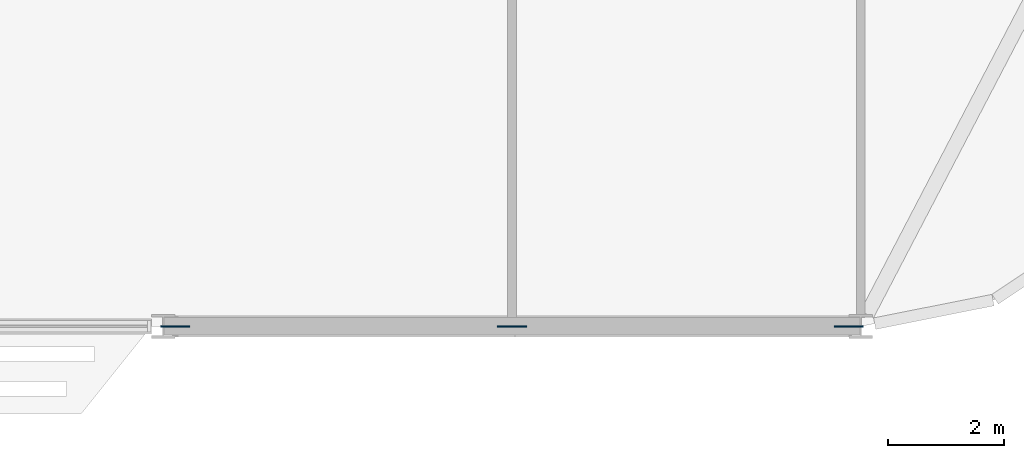
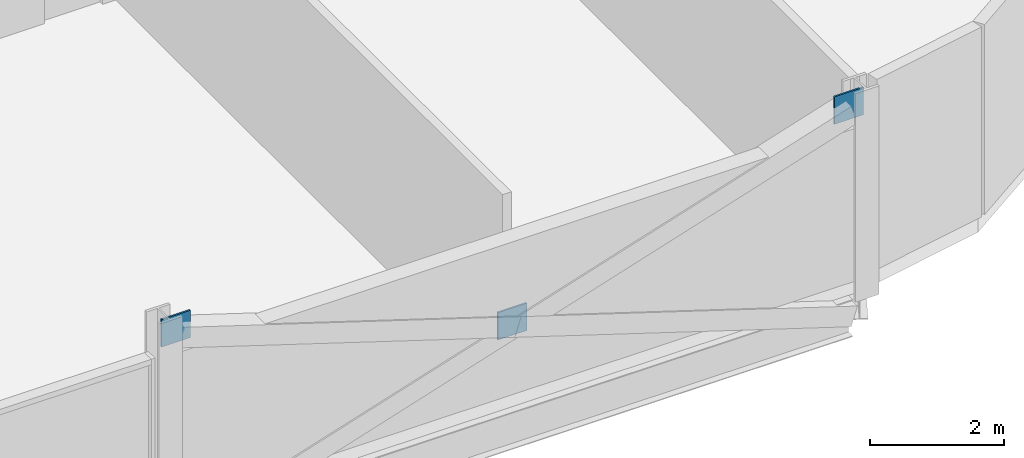
# One storey, part 20 of 27: 3 discrete accessories.
"""IFC4 building model written with IfcOpenShell, lengths in metres."""

from ifc_helpers import new_model, si_unit, direction, frame, origin, origin_2d, place, context, subcontext, project, spatial, rectangle, extrude, material, layer, layer_set, type_object, element, save


model = new_model("IFC4")

# Units and contexts
model_context = context("Model", 3, precision=1e-05, world=origin(), true_north=direction((0.0, 1.0)))
body_context = subcontext(model_context, "Body", "Model", "MODEL_VIEW")
ifc_project = project(units=[si_unit("LENGTHUNIT", "METRE"), si_unit("AREAUNIT", "SQUARE_METRE"), si_unit("VOLUMEUNIT", "CUBIC_METRE"), si_unit("PLANEANGLEUNIT", "RADIAN"), si_unit("MASSUNIT", "GRAM", prefix="KILO")], contexts=[model_context])

# Site, building, storey
site_placement = place(None, origin())
site = spatial("IfcSite", under=ifc_project, at=site_placement, CompositionType="ELEMENT")
building_placement = place(site_placement, origin())
building = spatial("IfcBuilding", under=site, at=building_placement, Name="Mahtab Terrace Research Tower", CompositionType="ELEMENT")
storey_placement = place(building_placement, frame((0.0, 0.0, 178.199951171875)))
storey = spatial("IfcBuildingStorey", under=building, at=storey_placement, Name="L42", CompositionType="ELEMENT", Elevation=178.199951171875)

# Discrete accessories
ifc_material = material(Name="Steel ASTM A992 Gr 50", Category="steel")
ifc_layer = layer(ifc_material, 0.030029296875)
ifc_layer_set = layer_set([ifc_layer], Name="Gusset plate 500x500x30")
discrete_accessory_type = type_object("IfcDiscreteAccessoryType", Name="Gusset plate 500x500x30", PredefinedType="USERDEFINED", material=ifc_layer_set)
for number, where, z_axis, x_axis, name in (
    (1, (30.203125, -23.0, 2.870849609375), (0.0, 0.0, 1.0), (1.0, 0.0, 0.0), "Gusset plate"),
    (2, (36.0, -23.0, 0.970947265625), (0.0, 0.0, 1.0), (1.0, 0.0, 0.0), "Gusset plate"),
    (3, (41.796875, -23.0, 2.870849609375), (0.0, 0.0, 1.0), (1.0, 0.0, 0.0), "Gusset plate"),
):
    element("IfcDiscreteAccessory", number, at=place(storey_placement, frame(where, z_axis=z_axis, x_axis=x_axis)), inside=storey, type_object=discrete_accessory_type, Name=name, ObjectType="GUSSET PLATE", PredefinedType="USERDEFINED", context=body_context, shape_type="SweptSolid", body=[
        extrude(rectangle(XDim=0.5, YDim=0.030029296875, at=origin_2d()), origin(), (0.0, 0.0, 1.0), 0.5),
    ])

save(model, "model.ifc")
